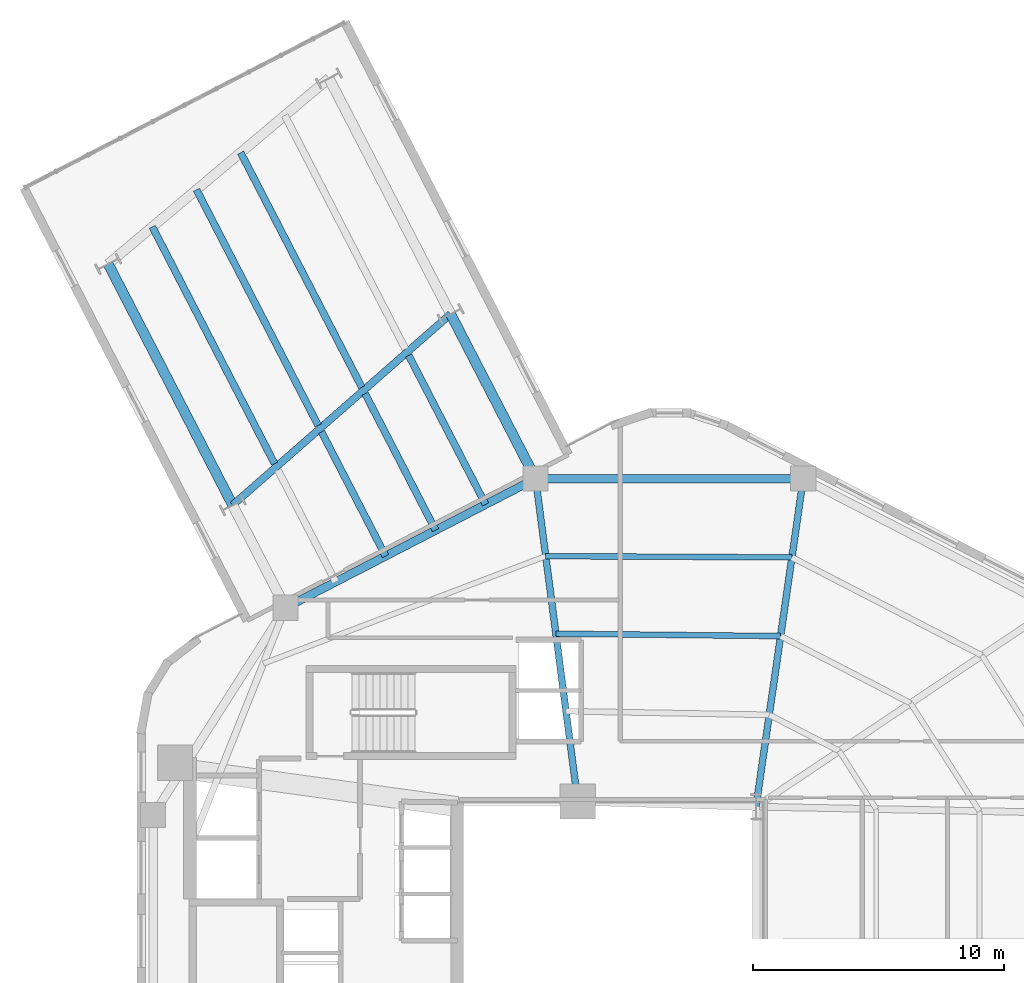
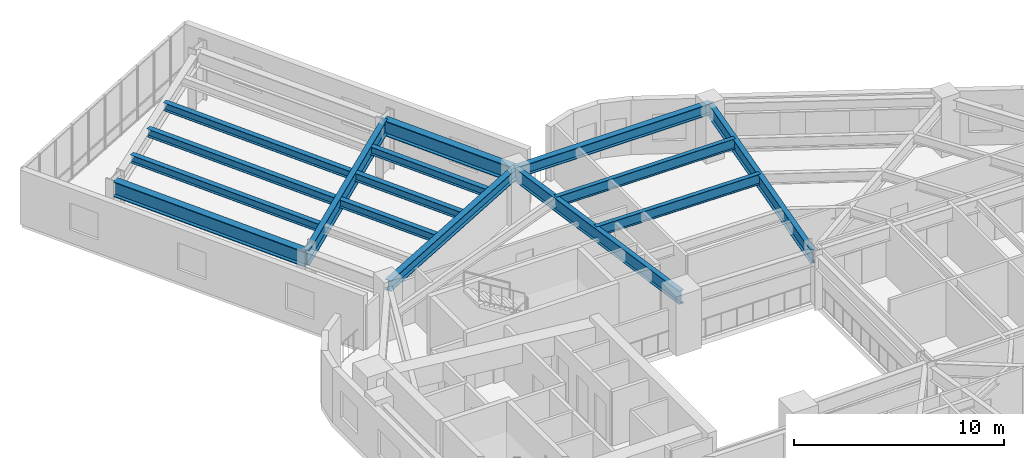
# One storey, part 2 of 11: 15 beams.
"""IFC4 building model written with IfcOpenShell, lengths in metres."""

from ifc_helpers import new_model, si_unit, direction, frame, origin, origin_2d, place, context, subcontext, project, spatial, i_section, extrude, material, material_profile, profile_set, type_object, element, save


model = new_model("IFC4")

# Units and contexts
model_context = context("Model", 3, precision=1e-05, world=origin(), true_north=direction((0.0, 1.0)))
body_context = subcontext(model_context, "Body", "Model", "MODEL_VIEW")
ifc_project = project(units=[si_unit("LENGTHUNIT", "METRE"), si_unit("AREAUNIT", "SQUARE_METRE"), si_unit("VOLUMEUNIT", "CUBIC_METRE"), si_unit("PLANEANGLEUNIT", "RADIAN"), si_unit("MASSUNIT", "GRAM", prefix="KILO"), si_unit("THERMODYNAMICTEMPERATUREUNIT", "KELVIN"), si_unit("POWERUNIT", "WATT")], contexts=[model_context])

# Site, building, storey
site_placement = place(None, origin())
site = spatial("IfcSite", under=ifc_project, at=site_placement, CompositionType="ELEMENT")
building_placement = place(site_placement, origin())
building = spatial("IfcBuilding", under=site, at=building_placement, Name="Skarre Station Tower", CompositionType="ELEMENT")
storey_placement = place(building_placement, frame((0.0, 0.0, 139.5)))
storey = spatial("IfcBuildingStorey", under=building, at=storey_placement, Name="L37", CompositionType="ELEMENT", Elevation=139.5)

# Beams
ifc_material = material(Name="Steel ASTM A992 Grade 50", Category="steel")
ifc_material_profile_1 = material_profile(ifc_material, i_section(OverallWidth=0.26806640625, OverallDepth=0.77001953125, WebThickness=0.01611328125, FlangeThickness=0.02490234375, at=origin_2d()), Name="Steel ASTM A992 Grade 50")
ifc_profile_set_1 = profile_set([ifc_material_profile_1], Name="Steel ASTM A992 Grade 50")
beam_type_1 = type_object("IfcBeamType", Name="Steel Beam W30X132", PredefinedType="BEAM", material=ifc_profile_set_1)
beam_1_placement = place(storey_placement, frame((39.449951171875, 29.35009765625, 2.77490234375), z_axis=(0.142480121776, 0.989797663616, 0.0), x_axis=(-0.989797663616, 0.142480121776, 0.0)))
element("IfcBeam", 1, at=beam_1_placement, inside=storey, type_object=beam_type_1, Name="L37 Radial Floor Girder F0C2", PredefinedType="BEAM", context=body_context, shape_type="SweptSolid", body=[
    extrude(i_section(OverallWidth=0.26806640625, OverallDepth=0.77001953125, WebThickness=0.01611328125, FlangeThickness=0.02490234375, at=origin_2d()), origin(), (0.0, 0.0, 1.0), 13.20263671875),
])
beam_2_placement = place(storey_placement, frame((32.35009765625, 29.550048828125, 2.77490234375), z_axis=(-0.129545878778, 0.991573429097, 0.0), x_axis=(-0.991573429097, -0.129545878778, 0.0)))
element("IfcBeam", 2, at=beam_2_placement, inside=storey, type_object=beam_type_1, Name="L37 Radial Floor Girder F1C1", PredefinedType="BEAM", context=body_context, shape_type="SweptSolid", body=[
    extrude(i_section(OverallWidth=0.26806640625, OverallDepth=0.77001953125, WebThickness=0.01611328125, FlangeThickness=0.02490234375, at=origin_2d()), origin(), (0.0, 0.0, 1.0), 12.977294921875),
])
ifc_material_profile_2 = material_profile(ifc_material, i_section(OverallWidth=0.2919921875, OverallDepth=0.85888671875, WebThickness=0.01708984375, FlangeThickness=0.031005859375, at=origin_2d()), Name="Steel ASTM A992 Grade 50")
ifc_profile_set_2 = profile_set([ifc_material_profile_2], Name="Steel ASTM A992 Grade 50")
beam_type_2 = type_object("IfcBeamType", Name="Steel Beam W33X169", PredefinedType="BEAM", material=ifc_profile_set_2)
beam_3_placement = place(storey_placement, frame((27.283935546875, 48.97607421875, 2.73095703125), z_axis=(-0.752067015166, -0.659086644303, 0.0), x_axis=(0.659086644303, -0.752067015166, 0.0)))
element("IfcBeam", 3, at=beam_3_placement, inside=storey, type_object=beam_type_2, Name="L37 SB-3 Mid Transverse Girder", PredefinedType="BEAM", context=body_context, shape_type="SweptSolid", body=[
    extrude(i_section(OverallWidth=0.2919921875, OverallDepth=0.85888671875, WebThickness=0.01708984375, FlangeThickness=0.031005859375, at=origin_2d()), origin(), (0.0, 0.0, 1.0), 11.5478515625),
])
ifc_material_profile_3 = material_profile(ifc_material, i_section(OverallWidth=0.40087890625, OverallDepth=0.876953125, WebThickness=0.02197265625, FlangeThickness=0.0400390625, at=origin_2d()), Name="Steel ASTM A992 Grade 50")
ifc_profile_set_3 = profile_set([ifc_material_profile_3], Name="Steel ASTM A992 Grade 50")
beam_type_3 = type_object("IfcBeamType", Name="Steel Beam W33X263", PredefinedType="BEAM", material=ifc_profile_set_3)
beam_4_placement = place(storey_placement, frame((30.6689453125, 42.41796875, 2.720947265625), z_axis=(-0.45866230048, 0.88861065384, 0.0), x_axis=(-0.88861065384, -0.45866230048, 0.0)))
element("IfcBeam", 4, at=beam_4_placement, inside=storey, type_object=beam_type_3, Name="L37 SB-3 Side 1 Inner Girder", PredefinedType="BEAM", context=body_context, shape_type="SweptSolid", body=[
    extrude(i_section(OverallWidth=0.40087890625, OverallDepth=0.876953125, WebThickness=0.02197265625, FlangeThickness=0.0400390625, at=origin_2d()), origin(), (0.0, 0.0, 1.0), 7.380126953125),
])
beam_5_placement = place(storey_placement, frame((18.59912109375, 41.364990234375, 2.720947265625), z_axis=(-0.458686644601, 0.888598088038, 0.0), x_axis=(-0.888598088038, -0.458686644601, 0.0)))
element("IfcBeam", 5, at=beam_5_placement, inside=storey, type_object=beam_type_3, Name="L37 SB-3 Side 2 Outer Girder", PredefinedType="BEAM", context=body_context, shape_type="SweptSolid", body=[
    extrude(i_section(OverallWidth=0.40087890625, OverallDepth=0.876953125, WebThickness=0.02197265625, FlangeThickness=0.0400390625, at=origin_2d()), origin(), (0.0, 0.0, 1.0), 10.80908203125),
])
ifc_material_profile_4 = material_profile(ifc_material, i_section(OverallWidth=0.280029296875, OverallDepth=0.462890625, WebThickness=0.010986328125, FlangeThickness=0.01708984375, at=origin_2d()), Name="Steel ASTM A992 Grade 50")
ifc_profile_set_4 = profile_set([ifc_material_profile_4], Name="Steel ASTM A992 Grade 50")
beam_type_4 = type_object("IfcBeamType", Name="Steel Joist W18X76", PredefinedType="JOIST", material=ifc_profile_set_4)
beam_6_placement = place(storey_placement, frame((28.677001953125, 41.389892578125, 2.927978515625), z_axis=(-0.458667124225, 0.888608164016, 0.0), x_axis=(-0.888608164016, -0.458667124225, 0.0)))
element("IfcBeam", 6, at=beam_6_placement, inside=storey, type_object=beam_type_4, Name="L37 SB-3 Inner Deck Joist 1", PredefinedType="JOIST", context=body_context, shape_type="SweptSolid", body=[
    extrude(i_section(OverallWidth=0.280029296875, OverallDepth=0.462890625, WebThickness=0.010986328125, FlangeThickness=0.01708984375, at=origin_2d()), origin(), (0.0, 0.0, 1.0), 6.68017578125),
])
beam_7_placement = place(storey_placement, frame((26.68505859375, 40.362060546875, 2.927978515625), z_axis=(-0.458689630603, 0.888596546683, 0.0), x_axis=(-0.888596546683, -0.458689630603, 0.0)))
element("IfcBeam", 7, at=beam_7_placement, inside=storey, type_object=beam_type_4, Name="L37 SB-3 Inner Deck Joist 2", PredefinedType="JOIST", context=body_context, shape_type="SweptSolid", body=[
    extrude(i_section(OverallWidth=0.280029296875, OverallDepth=0.462890625, WebThickness=0.010986328125, FlangeThickness=0.01708984375, at=origin_2d()), origin(), (0.0, 0.0, 1.0), 6.1240234375),
])
beam_8_placement = place(storey_placement, frame((23.743896484375, 46.06005859375, 2.927978515625), z_axis=(-0.458695526127, 0.888593503415, 0.0), x_axis=(-0.888593503415, -0.458695526127, 0.0)))
element("IfcBeam", 8, at=beam_8_placement, inside=storey, type_object=beam_type_4, Name="L37 SB-3 Outer Deck Joist 2", PredefinedType="JOIST", context=body_context, shape_type="SweptSolid", body=[
    extrude(i_section(OverallWidth=0.280029296875, OverallDepth=0.462890625, WebThickness=0.010986328125, FlangeThickness=0.01708984375, at=origin_2d()), origin(), (0.0, 0.0, 1.0), 10.52099609375),
])
beam_9_placement = place(storey_placement, frame((24.693115234375, 39.3330078125, 2.927978515625), z_axis=(-0.458698759965, 0.888591834087, 0.0), x_axis=(-0.888591834087, -0.458698759965, 0.0)))
element("IfcBeam", 9, at=beam_9_placement, inside=storey, type_object=beam_type_4, Name="L37 SB-3 Inner Deck Joist 3", PredefinedType="JOIST", context=body_context, shape_type="SweptSolid", body=[
    extrude(i_section(OverallWidth=0.280029296875, OverallDepth=0.462890625, WebThickness=0.010986328125, FlangeThickness=0.01708984375, at=origin_2d()), origin(), (0.0, 0.0, 1.0), 5.568359375),
])
beam_10_placement = place(storey_placement, frame((22.007080078125, 44.537109375, 2.927978515625), z_axis=(-0.458698227209, 0.8885921091, 0.0), x_axis=(-0.8885921091, -0.458698227209, 0.0)))
element("IfcBeam", 10, at=beam_10_placement, inside=storey, type_object=beam_type_4, Name="L37 SB-3 Outer Deck Joist 3", PredefinedType="JOIST", context=body_context, shape_type="SweptSolid", body=[
    extrude(i_section(OverallWidth=0.280029296875, OverallDepth=0.462890625, WebThickness=0.010986328125, FlangeThickness=0.01708984375, at=origin_2d()), origin(), (0.0, 0.0, 1.0), 10.5693359375),
])
beam_11_placement = place(storey_placement, frame((20.27001953125, 43.014892578125, 2.927978515625), z_axis=(-0.458673375905, 0.888604937098, 0.0), x_axis=(-0.888604937098, -0.458673375905, 0.0)))
element("IfcBeam", 11, at=beam_11_placement, inside=storey, type_object=beam_type_4, Name="L37 SB-3 Outer Deck Joist 4", PredefinedType="JOIST", context=body_context, shape_type="SweptSolid", body=[
    extrude(i_section(OverallWidth=0.280029296875, OverallDepth=0.462890625, WebThickness=0.010986328125, FlangeThickness=0.01708984375, at=origin_2d()), origin(), (0.0, 0.0, 1.0), 10.617919921875),
])
ifc_material_profile_5 = material_profile(ifc_material, i_section(OverallWidth=0.22802734375, OverallDepth=0.60791015625, WebThickness=0.010986328125, FlangeThickness=0.01708984375, at=origin_2d()), Name="Steel ASTM A992 Grade 50")
ifc_profile_set_5 = profile_set([ifc_material_profile_5], Name="Steel ASTM A992 Grade 50")
beam_type_5 = type_object("IfcBeamType", Name="Steel Joist W24X76", PredefinedType="JOIST", material=ifc_profile_set_5)
beam_12_placement = place(storey_placement, frame((40.427978515625, 36.14501953125, 2.85595703125), z_axis=(-0.999942566282, 0.010717468802, 0.0), x_axis=(-0.010717468802, -0.999942566282, 0.0)))
element("IfcBeam", 12, at=beam_12_placement, inside=storey, type_object=beam_type_5, Name="L37 Secondary Floor Joist 5", PredefinedType="JOIST", context=body_context, shape_type="SweptSolid", body=[
    extrude(i_section(OverallWidth=0.22802734375, OverallDepth=0.60791015625, WebThickness=0.010986328125, FlangeThickness=0.01708984375, at=origin_2d()), origin(), (0.0, 0.0, 1.0), 8.952392578125),
])
beam_13_placement = place(storey_placement, frame((40.8798828125, 39.281982421875, 2.85595703125), z_axis=(-0.999987976633, 0.004903732143, 0.0), x_axis=(-0.004903732143, -0.999987976633, 0.0)))
element("IfcBeam", 13, at=beam_13_placement, inside=storey, type_object=beam_type_5, Name="L37 Secondary Floor Joist 6", PredefinedType="JOIST", context=body_context, shape_type="SweptSolid", body=[
    extrude(i_section(OverallWidth=0.22802734375, OverallDepth=0.60791015625, WebThickness=0.010986328125, FlangeThickness=0.01708984375, at=origin_2d()), origin(), (0.0, 0.0, 1.0), 9.807861328125),
])
ifc_material_profile_6 = material_profile(ifc_material, i_section(OverallWidth=0.327880859375, OverallDepth=0.6279296875, WebThickness=0.01708984375, FlangeThickness=0.028076171875, at=origin_2d()), Name="Steel ASTM A992 Grade 50")
ifc_profile_set_6 = profile_set([ifc_material_profile_6], Name="Steel ASTM A992 Grade 50")
beam_type_6 = type_object("IfcBeamType", Name="Steel Spandrel W24X146", PredefinedType="SPANDREL", material=ifc_profile_set_6)
beam_14_placement = place(storey_placement, frame((41.3310546875, 42.41796875, 2.845947265625), z_axis=(-1.0, 0.0, 0.0), x_axis=(0.0, -1.0, 0.0)))
element("IfcBeam", 14, at=beam_14_placement, inside=storey, type_object=beam_type_6, Name="L37 Facet Spandrel Beam 2", PredefinedType="SPANDREL", context=body_context, shape_type="SweptSolid", body=[
    extrude(i_section(OverallWidth=0.327880859375, OverallDepth=0.6279296875, WebThickness=0.01708984375, FlangeThickness=0.028076171875, at=origin_2d()), origin(), (0.0, 0.0, 1.0), 10.662109375),
])
beam_15_placement = place(storey_placement, frame((30.6689453125, 42.41796875, 2.845947265625), z_axis=(-0.888611779493, -0.458660119639, 0.0), x_axis=(0.458660119639, -0.888611779493, 0.0)))
element("IfcBeam", 15, at=beam_15_placement, inside=storey, type_object=beam_type_6, Name="L37 Facet Spandrel Beam 3", PredefinedType="SPANDREL", context=body_context, shape_type="SweptSolid", body=[
    extrude(i_section(OverallWidth=0.327880859375, OverallDepth=0.6279296875, WebThickness=0.01708984375, FlangeThickness=0.028076171875, at=origin_2d()), origin(), (0.0, 0.0, 1.0), 11.20849609375),
])

save(model, "model.ifc")
